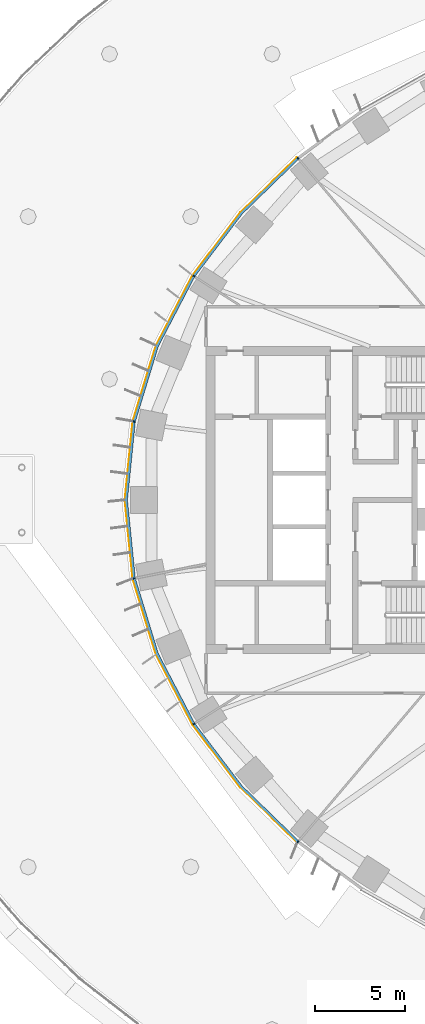
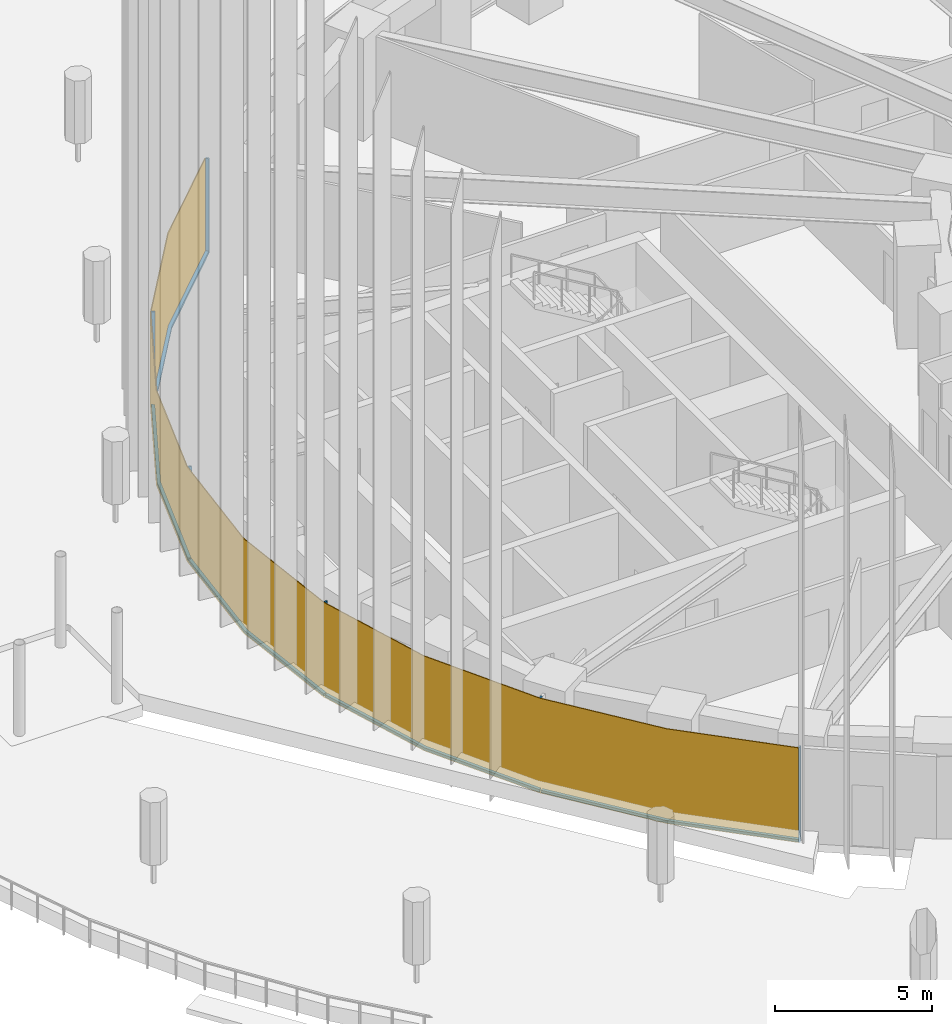
# One storey, part 18 of 30: 11 members, 1 curtain wall.
"""IFC4 building model written with IfcOpenShell, lengths in metres."""

from ifc_helpers import new_model, si_unit, direction, frame, origin, origin_2d, place, context, subcontext, project, spatial, polyline, rectangle, outline, extrude, material, layer, layer_set, material_profile, profile_set, type_object, element, aggregate, save


model = new_model("IFC4")

# Units and contexts
model_context = context("Model", 3, precision=1e-05, world=origin(), true_north=direction((0.0, 1.0)))
body_context = subcontext(model_context, "Body", "Model", "MODEL_VIEW")
ifc_project = project(units=[si_unit("LENGTHUNIT", "METRE"), si_unit("AREAUNIT", "SQUARE_METRE"), si_unit("VOLUMEUNIT", "CUBIC_METRE"), si_unit("PLANEANGLEUNIT", "RADIAN"), si_unit("MASSUNIT", "GRAM", prefix="KILO")], contexts=[model_context])

# Member
ifc_material_1 = material(Name="Aluminium 6063-T6 black anodised", Category="aluminium")
ifc_material_profile = material_profile(ifc_material_1, rectangle(XDim=0.1201171875, YDim=0.06005859375, at=origin_2d()), Name="120x60")
ifc_profile_set = profile_set([ifc_material_profile], Name="Aluminium 6063-T6 black anodised")
member_type_1 = type_object("IfcMemberType", Name="ENV-MULLION-A-120", PredefinedType="MULLION", material=ifc_profile_set)
site_placement = place(None, origin())
building_placement = place(site_placement, origin())
storey_placement = place(building_placement, frame((0.0, 0.0, 30.5)))
member_1_placement = place(storey_placement, frame((-26.403564453125, 18.9130859375, 0.0), z_axis=(0.0, 0.0, 1.0), x_axis=(0.646451313783, -0.762955240435, 0.0)))
member_1 = element("IfcMember", 1, at=member_1_placement, type_object=member_type_1, Name="Mullion A radial 19", PredefinedType="MULLION", context=body_context, shape_type="SweptSolid", body=[
    extrude(rectangle(XDim=0.1201171875, YDim=0.06005859375, at=origin_2d()), origin(), (0.0, 0.0, 1.0), 3.699951171875),
])

member_2_placement = place(storey_placement, frame((-32.177490234375, 12.385498046875, 0.0), z_axis=(0.0, 0.0, 1.0), x_axis=(0.844829880882, -0.53503501976, 0.0)))
member_2 = element("IfcMember", 2, at=member_2_placement, type_object=member_type_1, Name="Mullion A radial 21", PredefinedType="MULLION", context=body_context, shape_type="SweptSolid", body=[
    extrude(rectangle(XDim=0.1201171875, YDim=0.06005859375, at=origin_2d()), origin(), (0.0, 0.0, 1.0), 3.699951171875),
])

member_3_placement = place(storey_placement, frame((-35.470947265625, 4.340576171875, 0.0), z_axis=(0.0, 0.0, 1.0), x_axis=(0.980379083141, -0.19712141776, 0.0)))
member_3 = element("IfcMember", 3, at=member_3_placement, type_object=member_type_1, Name="Mullion A radial 23", PredefinedType="MULLION", context=body_context, shape_type="SweptSolid", body=[
    extrude(rectangle(XDim=0.1201171875, YDim=0.06005859375, at=origin_2d()), origin(), (0.0, 0.0, 1.0), 3.699951171875),
])

member_4_placement = place(storey_placement, frame((-35.470947265625, -4.340576171875, 0.0), z_axis=(0.0, 0.0, 1.0), x_axis=(0.980379083141, 0.19712141776, 0.0)))
member_4 = element("IfcMember", 4, at=member_4_placement, type_object=member_type_1, Name="Mullion A radial 25", PredefinedType="MULLION", context=body_context, shape_type="SweptSolid", body=[
    extrude(rectangle(XDim=0.1201171875, YDim=0.06005859375, at=origin_2d()), origin(), (0.0, 0.0, 1.0), 3.699951171875),
])

member_5_placement = place(storey_placement, frame((-32.177490234375, -12.385498046875, 0.0), z_axis=(0.0, 0.0, 1.0), x_axis=(0.844829880882, 0.53503501976, 0.0)))
member_5 = element("IfcMember", 5, at=member_5_placement, type_object=member_type_1, Name="Mullion A radial 27", PredefinedType="MULLION", context=body_context, shape_type="SweptSolid", body=[
    extrude(rectangle(XDim=0.1201171875, YDim=0.06005859375, at=origin_2d()), origin(), (0.0, 0.0, 1.0), 3.699951171875),
])

member_6_placement = place(storey_placement, frame((-26.403564453125, -18.9130859375, 0.0), z_axis=(0.0, 0.0, 1.0), x_axis=(0.646451313783, 0.762955240435, 0.0)))
member_6 = element("IfcMember", 6, at=member_6_placement, type_object=member_type_1, Name="Mullion A radial 29", PredefinedType="MULLION", context=body_context, shape_type="SweptSolid", body=[
    extrude(rectangle(XDim=0.1201171875, YDim=0.06005859375, at=origin_2d()), origin(), (0.0, 0.0, 1.0), 3.699951171875),
])

ifc_material_2 = material(Name="Aluminium 6063-T6 black anodised", Category="aluminium")
member_type_2 = type_object("IfcMemberType", Name="ENV-TRANSOM-A", PredefinedType="USERDEFINED", material=ifc_material_2)
member_7_placement = place(storey_placement, origin())
member_7 = element("IfcMember", 7, at=member_7_placement, type_object=member_type_2, Name="Transom A radial 19-21", ObjectType="TRANSOM", PredefinedType="USERDEFINED", context=body_context, shape_type="SweptSolid", body=[
    extrude(outline(polyline([(-26.46240234375, 18.939208984375), (-29.58349609375, 15.906982421875), (-32.211181640625, 12.43994140625), (-32.109375, 12.37548828125), (-29.493408203125, 15.8271484375), (-26.384765625, 18.847412109375), (-26.46240234375, 18.939208984375)])), origin(), (0.0, 0.0, 1.0), 0.10009765625),
])

member_8_placement = place(storey_placement, origin())
member_8 = element("IfcMember", 8, at=member_8_placement, type_object=member_type_2, Name="Transom A radial 21-23", ObjectType="TRANSOM", PredefinedType="USERDEFINED", context=body_context, shape_type="SweptSolid", body=[
    extrude(outline(polyline([(-32.240966796875, 12.392578125), (-34.251220703125, 8.53662109375), (-35.521484375, 4.379150390625), (-35.4033203125, 4.355224609375), (-34.139892578125, 8.490966796875), (-32.139404296875, 12.328369140625), (-32.240966796875, 12.392578125)])), origin(), (0.0, 0.0, 1.0), 0.10009765625),
])

member_9_placement = place(storey_placement, origin())
member_9 = element("IfcMember", 9, at=member_9_placement, type_object=member_type_2, Name="Transom A radial 23-25", ObjectType="TRANSOM", PredefinedType="USERDEFINED", context=body_context, shape_type="SweptSolid", body=[
    extrude(outline(polyline([(-35.532470703125, 4.324462890625), (-35.9677734375, 0.0), (-35.532470703125, -4.324462890625), (-35.414306640625, -4.30078125), (-35.84716796875, 0.0), (-35.414306640625, 4.30078125), (-35.532470703125, 4.324462890625)])), origin(), (0.0, 0.0, 1.0), 0.10009765625),
])

member_10_placement = place(storey_placement, origin())
member_10 = element("IfcMember", 10, at=member_10_placement, type_object=member_type_2, Name="Transom A radial 25-27", ObjectType="TRANSOM", PredefinedType="USERDEFINED", context=body_context, shape_type="SweptSolid", body=[
    extrude(outline(polyline([(-35.521484375, -4.379150390625), (-34.251220703125, -8.53662109375), (-32.240966796875, -12.392578125), (-32.139404296875, -12.328369140625), (-34.139892578125, -8.490966796875), (-35.4033203125, -4.355224609375), (-35.521484375, -4.379150390625)])), origin(), (0.0, 0.0, 1.0), 0.10009765625),
])

member_11_placement = place(storey_placement, origin())
member_11 = element("IfcMember", 11, at=member_11_placement, type_object=member_type_2, Name="Transom A radial 27-29", ObjectType="TRANSOM", PredefinedType="USERDEFINED", context=body_context, shape_type="SweptSolid", body=[
    extrude(outline(polyline([(-32.211181640625, -12.43994140625), (-29.58349609375, -15.906982421875), (-26.46240234375, -18.939208984375), (-26.384765625, -18.847412109375), (-29.493408203125, -15.8271484375), (-32.109375, -12.37548828125), (-32.211181640625, -12.43994140625)])), origin(), (0.0, 0.0, 1.0), 0.10009765625),
])

# Site, building, storey
site = spatial("IfcSite", under=ifc_project, at=site_placement, CompositionType="ELEMENT")
building = spatial("IfcBuilding", under=site, at=building_placement, Name="Noorbagh Ring Tower", CompositionType="ELEMENT")
storey = spatial("IfcBuildingStorey", under=building, at=storey_placement, Name="L05", CompositionType="ELEMENT", Elevation=30.5)

# Curtain wall
ifc_material_3 = material(Name="Glass dark tinted laminated", Category="glass")
ifc_layer = layer(ifc_material_3, 0.031982421875)
ifc_layer_set = layer_set([ifc_layer], Name="Glass dark tinted laminated")
curtain_wall_type = type_object("IfcCurtainWallType", Name="ENV-CW-A", PredefinedType="NOTDEFINED", material=ifc_layer_set)
curtain_wall_placement = place(storey_placement, origin())
curtain_wall = element("IfcCurtainWall", 12, at=curtain_wall_placement, inside=storey, type_object=curtain_wall_type, Name="Curtain wall A R19", PredefinedType="NOTDEFINED", context=body_context, shape_type="SweptSolid", body=[
    extrude(outline(polyline([(-26.477294921875, 18.96923828125), (-29.607666015625, 15.927978515625), (-32.255126953125, 12.434814453125), (-34.281005859375, 8.548828125), (-35.561279296875, 4.358642578125), (-36.0, 0.0), (-35.561279296875, -4.358642578125), (-34.281005859375, -8.548828125), (-32.255126953125, -12.434814453125), (-29.607666015625, -15.927978515625), (-26.477294921875, -18.96923828125), (-26.456787109375, -18.94482421875), (-29.58349609375, -15.906982421875), (-32.22802734375, -12.41748046875), (-34.251220703125, -8.53662109375), (-35.529541015625, -4.352294921875), (-35.9677734375, 0.0), (-35.529541015625, 4.352294921875), (-34.251220703125, 8.53662109375), (-32.22802734375, 12.41748046875), (-29.58349609375, 15.906982421875), (-26.456787109375, 18.94482421875), (-26.477294921875, 18.96923828125)])), origin(), (0.0, 0.0, 1.0), 3.699951171875),
])

aggregate(curtain_wall, [member_1, member_2, member_3, member_4, member_5, member_6, member_7, member_8, member_9, member_10, member_11])

save(model, "model.ifc")
